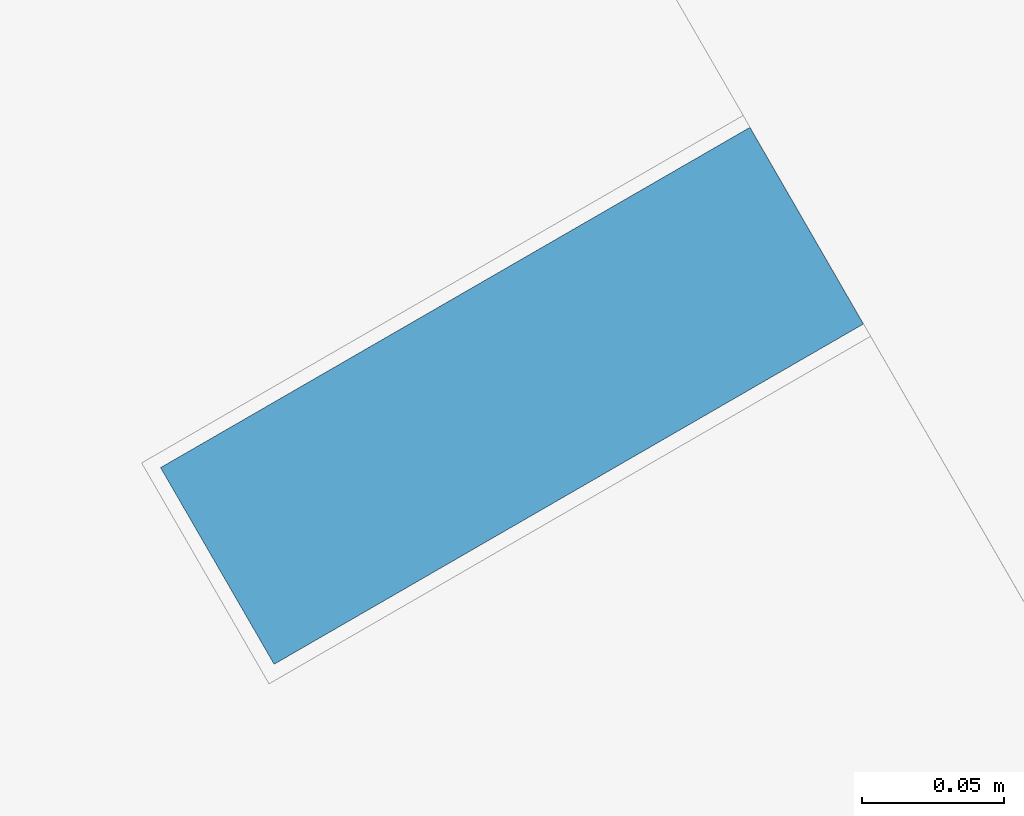
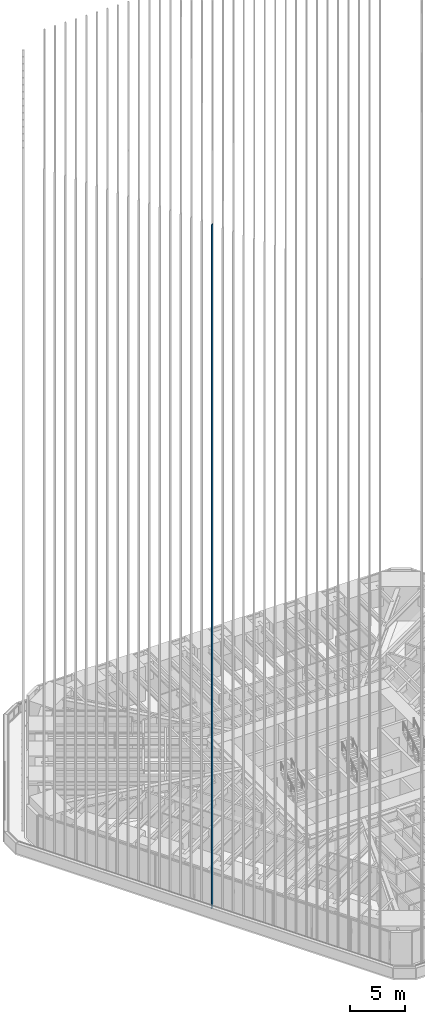
# One storey, part 34 of 238: 1 member, 1 element without a shape of its own.
"""IFC4 building model written with IfcOpenShell, lengths in metres."""

from ifc_helpers import new_model, si_unit, direction, frame, origin, origin_2d, place, context, subcontext, project, spatial, rectangle, extrude, material, material_profile, profile_set, type_object, element, aggregate, save


model = new_model("IFC4")

# Units and contexts
model_context = context("Model", 3, precision=1e-05, world=origin(), true_north=direction((0.0, 1.0)))
body_context = subcontext(model_context, "Body", "Model", "MODEL_VIEW")
ifc_project = project(units=[si_unit("LENGTHUNIT", "METRE"), si_unit("AREAUNIT", "SQUARE_METRE"), si_unit("VOLUMEUNIT", "CUBIC_METRE"), si_unit("PLANEANGLEUNIT", "RADIAN"), si_unit("MASSUNIT", "GRAM", prefix="KILO")], contexts=[model_context])

# Site, building, storey
site_placement = place(None, origin())
site = spatial("IfcSite", under=ifc_project, at=site_placement, CompositionType="ELEMENT")
building_placement = place(site_placement, origin())
building = spatial("IfcBuilding", under=site, at=building_placement, Name="Sandreach Pilgrim Tower", CompositionType="ELEMENT")
storey_placement = place(building_placement, frame((0.0, 0.0, 96.800048828125)))
storey = spatial("IfcBuildingStorey", under=building, at=storey_placement, Name="L23", CompositionType="ELEMENT", Elevation=96.800048828125)

# Curtain wall, member
ifc_material_1 = material(Name="Aluminium framed curtain wall", Category="aluminium")
curtain_wall_type = type_object("IfcCurtainWallType", Name="Hotel tower curtain wall", PredefinedType="NOTDEFINED", material=ifc_material_1)
curtain_wall_placement = place(storey_placement, origin())
curtain_wall = element("IfcCurtainWall", 1, at=curtain_wall_placement, inside=storey, type_object=curtain_wall_type, Name="CW-2 L23 SW", PredefinedType="NOTDEFINED")
ifc_material_2 = material(Name="Extruded terracotta on aluminium core", Category="masonry")
ifc_material_profile = material_profile(ifc_material_2, rectangle(XDim=0.080078125, YDim=0.239990234375, at=origin_2d()), Name="TBW 80X240")
ifc_profile_set = profile_set([ifc_material_profile], Name="Extruded terracotta on aluminium core")
member_type = type_object("IfcMemberType", Name="Terracotta baguette west", PredefinedType="USERDEFINED", material=ifc_profile_set)
member_placement = place(storey_placement, frame((-19.843994140625, -11.456787109375, 0.0), z_axis=(0.0, 0.0, 1.0), x_axis=(-0.5, 0.866025403784, 0.0)))
member = element("IfcMember", 2, at=member_placement, type_object=member_type, Name="Baguette Z2 SW17", ObjectType="BAGUETTE", PredefinedType="USERDEFINED", context=body_context, shape_type="SweptSolid", body=[
    extrude(rectangle(XDim=0.080078125, YDim=0.239990234375, at=origin_2d()), origin(), (0.0, 0.0, 1.0), 75.83984375),
])
aggregate(curtain_wall, [member])

save(model, "model.ifc")
